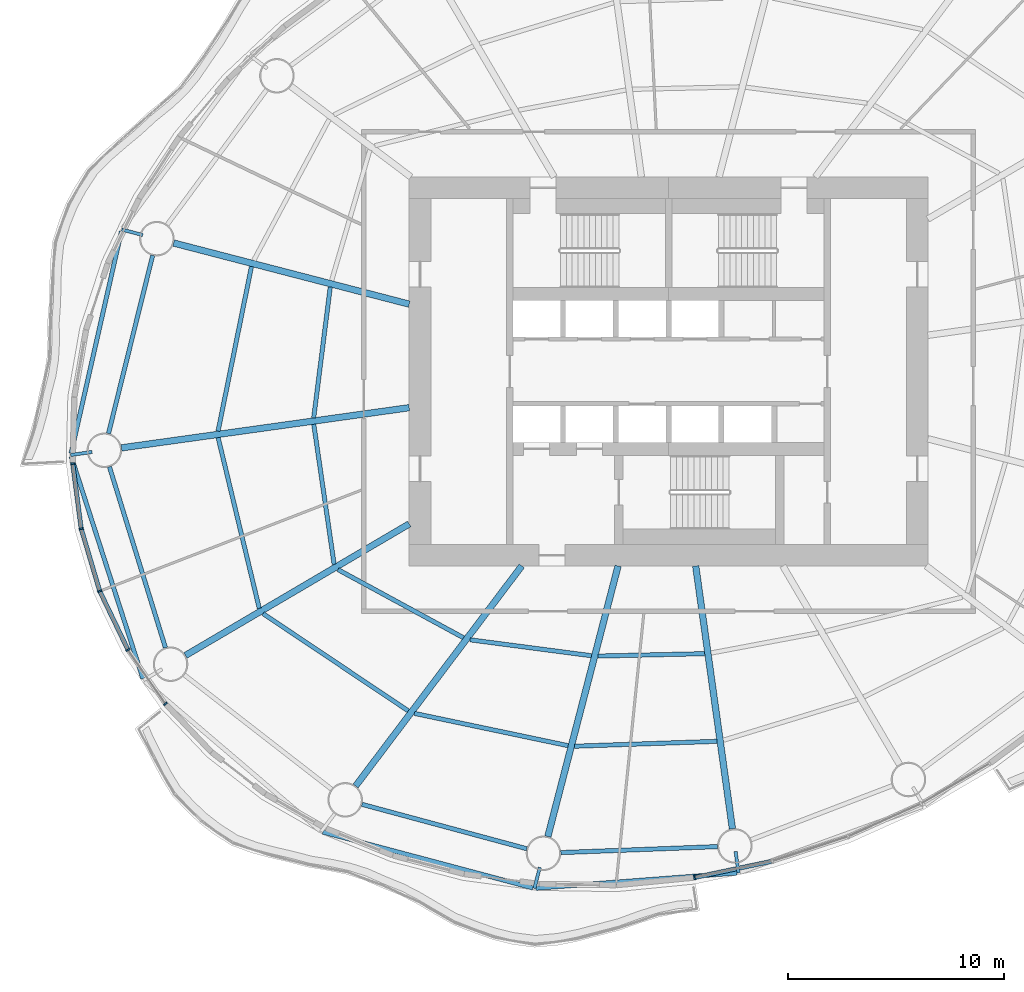
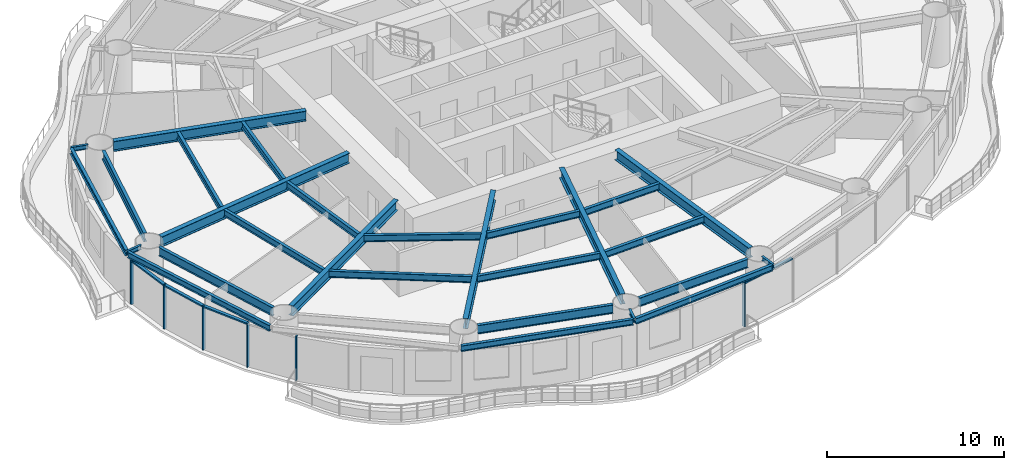
# One storey, part 2 of 14: 28 beams, 10 members, 5 elements without a shape of their own.
"""IFC4 building model written with IfcOpenShell, lengths in metres."""

from ifc_helpers import new_model, si_unit, direction, frame, origin, origin_2d, place, context, subcontext, project, spatial, rectangle, i_section, extrude, material, material_profile, profile_set, type_object, element, aggregate, save


model = new_model("IFC4")

# Units and contexts
model_context = context("Model", 3, precision=1e-05, world=origin(), true_north=direction((0.0, 1.0)))
body_context = subcontext(model_context, "Body", "Model", "MODEL_VIEW")
ifc_project = project(units=[si_unit("LENGTHUNIT", "METRE"), si_unit("AREAUNIT", "SQUARE_METRE"), si_unit("VOLUMEUNIT", "CUBIC_METRE"), si_unit("PLANEANGLEUNIT", "RADIAN"), si_unit("MASSUNIT", "GRAM", prefix="KILO")], contexts=[model_context])

# Site, building, storey
site_placement = place(None, origin())
site = spatial("IfcSite", under=ifc_project, at=site_placement, CompositionType="ELEMENT")
building_placement = place(site_placement, origin())
building = spatial("IfcBuilding", under=site, at=building_placement, Name="Vermilion Reach Broadcast Tower", CompositionType="ELEMENT")
storey_placement = place(building_placement, frame((0.0, 0.0, 117.39990234375)))
storey = spatial("IfcBuildingStorey", under=building, at=storey_placement, Name="L27", CompositionType="ELEMENT", Elevation=117.39990234375)

# Beams
ifc_material_1 = material(Name="Steel S355J2", Category="steel")
ifc_material_profile_1 = material_profile(ifc_material_1, i_section(OverallWidth=0.199951171875, OverallDepth=0.39990234375, WebThickness=0.008056640625, FlangeThickness=0.012939453125, at=origin_2d()), Name="S355J2 HN 400x200x8x13")
ifc_profile_set_1 = profile_set([ifc_material_profile_1], Name="Steel S355J2")
beam_type_1 = type_object("IfcBeamType", Name="EB2 HN 400x200x8x13", PredefinedType="BEAM", material=ifc_profile_set_1)
beam_1_placement = place(storey_placement, frame((-31.315673828125, 6.4931640625, 3.25), z_axis=(-0.221220599135, -0.975223793044, 0.0), x_axis=(0.975223793044, -0.221220599135, 0.0)))
element("IfcBeam", 1, at=beam_1_placement, inside=storey, type_object=beam_type_1, Name="Edge beam EB2-07", PredefinedType="BEAM", context=body_context, shape_type="SweptSolid", body=[
    extrude(i_section(OverallWidth=0.199951171875, OverallDepth=0.39990234375, WebThickness=0.008056640625, FlangeThickness=0.012939453125, at=origin_2d()), origin(), (0.0, 0.0, 1.0), 10.53955078125),
])
beam_2_placement = place(storey_placement, frame((-33.6416015625, -3.935791015625, 3.25), z_axis=(0.30738985375, -0.951583668319, 0.0), x_axis=(0.951583668319, 0.30738985375, 0.0)))
element("IfcBeam", 2, at=beam_2_placement, inside=storey, type_object=beam_type_1, Name="Edge beam EB2-08", PredefinedType="BEAM", context=body_context, shape_type="SweptSolid", body=[
    extrude(i_section(OverallWidth=0.199951171875, OverallDepth=0.39990234375, WebThickness=0.008056640625, FlangeThickness=0.012939453125, at=origin_2d()), origin(), (0.0, 0.0, 1.0), 10.79833984375),
])
beam_3_placement = place(storey_placement, frame((-21.99609375, -21.3134765625, 3.25), z_axis=(0.966375456993, -0.257135132026, 0.0), x_axis=(0.257135132026, 0.966375456993, 0.0)))
element("IfcBeam", 3, at=beam_3_placement, inside=storey, type_object=beam_type_1, Name="Edge beam EB2-10", PredefinedType="BEAM", context=body_context, shape_type="SweptSolid", body=[
    extrude(i_section(OverallWidth=0.199951171875, OverallDepth=0.39990234375, WebThickness=0.008056640625, FlangeThickness=0.012939453125, at=origin_2d()), origin(), (0.0, 0.0, 1.0), 10.053955078125),
])
beam_4_placement = place(storey_placement, frame((-12.12890625, -23.912109375, 3.25), z_axis=(0.997136795934, 0.075618848141, 0.0), x_axis=(-0.075618848141, 0.997136795934, 0.0)))
element("IfcBeam", 4, at=beam_4_placement, inside=storey, type_object=beam_type_1, Name="Edge beam EB2-11", PredefinedType="BEAM", context=body_context, shape_type="SweptSolid", body=[
    extrude(i_section(OverallWidth=0.199951171875, OverallDepth=0.39990234375, WebThickness=0.008056640625, FlangeThickness=0.012939453125, at=origin_2d()), origin(), (0.0, 0.0, 1.0), 9.32080078125),
])
ifc_material_2 = material(Name="Steel S355J2", Category="steel")
ifc_material_profile_2 = material_profile(ifc_material_2, i_section(OverallWidth=0.300048828125, OverallDepth=0.699951171875, WebThickness=0.012939453125, FlangeThickness=0.02392578125, at=origin_2d()), Name="S355J2 HN 700x300x13x24")
ifc_profile_set_2 = profile_set([ifc_material_profile_2], Name="Steel S355J2")
beam_type_2 = type_object("IfcBeamType", Name="G2 HN 700x300x13x24", PredefinedType="BEAM", material=ifc_profile_set_2)
beam_5_placement = place(storey_placement, frame((-18.0, 3.114501953125, 3.10009765625), z_axis=(-0.967926079816, 0.2512351568, 0.0), x_axis=(-0.2512351568, -0.967926079816, 0.0)))
element("IfcBeam", 5, at=beam_5_placement, inside=storey, type_object=beam_type_2, Name="Girder G2-07", PredefinedType="BEAM", context=body_context, shape_type="SweptSolid", body=[
    extrude(i_section(OverallWidth=0.300048828125, OverallDepth=0.699951171875, WebThickness=0.012939453125, FlangeThickness=0.02392578125, at=origin_2d()), origin(), (0.0, 0.0, 1.0), 11.265625),
])
beam_6_placement = place(storey_placement, frame((-18.0, -1.67578125, 3.10009765625), z_axis=(-0.990389457618, -0.138306623986, 0.0), x_axis=(0.138306623986, -0.990389457618, 0.0)))
element("IfcBeam", 6, at=beam_6_placement, inside=storey, type_object=beam_type_2, Name="Girder G2-08", PredefinedType="BEAM", context=body_context, shape_type="SweptSolid", body=[
    extrude(i_section(OverallWidth=0.300048828125, OverallDepth=0.699951171875, WebThickness=0.012939453125, FlangeThickness=0.02392578125, at=origin_2d()), origin(), (0.0, 0.0, 1.0), 13.445556640625),
])
beam_7_placement = place(storey_placement, frame((-18.0, -7.054443359375, 3.10009765625), z_axis=(-0.862071616631, -0.506786471603, 0.0), x_axis=(0.506786471603, -0.862071616631, 0.0)))
element("IfcBeam", 7, at=beam_7_placement, inside=storey, type_object=beam_type_2, Name="Girder G2-09", PredefinedType="BEAM", context=body_context, shape_type="SweptSolid", body=[
    extrude(i_section(OverallWidth=0.300048828125, OverallDepth=0.699951171875, WebThickness=0.012939453125, FlangeThickness=0.02392578125, at=origin_2d()), origin(), (0.0, 0.0, 1.0), 12.01025390625),
])
beam_8_placement = place(storey_placement, frame((-12.794189453125, -9.0, 3.10009765625), z_axis=(-0.602519842365, -0.798103902733, 0.0), x_axis=(0.798103902733, -0.602519842365, 0.0)))
element("IfcBeam", 8, at=beam_8_placement, inside=storey, type_object=beam_type_2, Name="Girder G2-10", PredefinedType="BEAM", context=body_context, shape_type="SweptSolid", body=[
    extrude(i_section(OverallWidth=0.300048828125, OverallDepth=0.699951171875, WebThickness=0.012939453125, FlangeThickness=0.02392578125, at=origin_2d()), origin(), (0.0, 0.0, 1.0), 12.758544921875),
])
beam_9_placement = place(storey_placement, frame((-8.3359375, -9.0, 3.10009765625), z_axis=(-0.25121695316, -0.967930804575, 0.0), x_axis=(0.967930804575, -0.25121695316, 0.0)))
element("IfcBeam", 9, at=beam_9_placement, inside=storey, type_object=beam_type_2, Name="Girder G2-11", PredefinedType="BEAM", context=body_context, shape_type="SweptSolid", body=[
    extrude(i_section(OverallWidth=0.300048828125, OverallDepth=0.699951171875, WebThickness=0.012939453125, FlangeThickness=0.02392578125, at=origin_2d()), origin(), (0.0, 0.0, 1.0), 12.93505859375),
])
beam_10_placement = place(storey_placement, frame((-4.7431640625, -9.0, 3.10009765625), z_axis=(0.138317561234, -0.990387930184, 0.0), x_axis=(0.990387930184, 0.138317561234, 0.0)))
element("IfcBeam", 10, at=beam_10_placement, inside=storey, type_object=beam_type_2, Name="Girder G2-12", PredefinedType="BEAM", context=body_context, shape_type="SweptSolid", body=[
    extrude(i_section(OverallWidth=0.300048828125, OverallDepth=0.699951171875, WebThickness=0.012939453125, FlangeThickness=0.02392578125, at=origin_2d()), origin(), (0.0, 0.0, 1.0), 12.281494140625),
])
ifc_material_3 = material(Name="Steel S355J2", Category="steel")
ifc_material_profile_3 = material_profile(ifc_material_3, i_section(OverallWidth=0.14990234375, OverallDepth=0.300048828125, WebThickness=0.006591796875, FlangeThickness=0.009033203125, at=origin_2d()), Name="S355J2 HN 300x150x6.5x9")
ifc_profile_set_3 = profile_set([ifc_material_profile_3], Name="Steel S355J2")
beam_type_3 = type_object("IfcBeamType", Name="GS2 HN 300x150x6.5x9", PredefinedType="BEAM", material=ifc_profile_set_3)
beam_11_placement = place(storey_placement, frame((-30.3310546875, 6.315185546875, 3.300048828125), z_axis=(-0.967935368459, 0.251199368006, 0.0), x_axis=(-0.251199368006, -0.967935368459, 0.0)))
element("IfcBeam", 11, at=beam_11_placement, inside=storey, type_object=beam_type_3, Name="Cantilever stub GS2-07", PredefinedType="BEAM", context=body_context, shape_type="SweptSolid", body=[
    extrude(i_section(OverallWidth=0.14990234375, OverallDepth=0.300048828125, WebThickness=0.006591796875, FlangeThickness=0.009033203125, at=origin_2d()), origin(), (0.0, 0.0, 1.0), 1.0),
])
beam_12_placement = place(storey_placement, frame((-32.674560546875, -3.72509765625, 3.300048828125), z_axis=(-0.990369889118, -0.138446678286, 0.0), x_axis=(0.138446678286, -0.990369889118, 0.0)))
element("IfcBeam", 12, at=beam_12_placement, inside=storey, type_object=beam_type_3, Name="Cantilever stub GS2-08", PredefinedType="BEAM", context=body_context, shape_type="SweptSolid", body=[
    extrude(i_section(OverallWidth=0.14990234375, OverallDepth=0.300048828125, WebThickness=0.006591796875, FlangeThickness=0.009033203125, at=origin_2d()), origin(), (0.0, 0.0, 1.0), 0.999755859375),
])
beam_13_placement = place(storey_placement, frame((-11.95654296875, -22.949951171875, 3.300048828125), z_axis=(-0.251428062615, -0.967875988611, 0.0), x_axis=(0.967875988611, -0.251428062615, 0.0)))
element("IfcBeam", 13, at=beam_13_placement, inside=storey, type_object=beam_type_3, Name="Cantilever stub GS2-11", PredefinedType="BEAM", context=body_context, shape_type="SweptSolid", body=[
    extrude(i_section(OverallWidth=0.14990234375, OverallDepth=0.300048828125, WebThickness=0.006591796875, FlangeThickness=0.009033203125, at=origin_2d()), origin(), (0.0, 0.0, 1.0), 1.000244140625),
])
beam_14_placement = place(storey_placement, frame((-2.898193359375, -22.211181640625, 3.300048828125), z_axis=(0.138413206764, -0.990374567622, 0.0), x_axis=(0.990374567622, 0.138413206764, 0.0)))
element("IfcBeam", 14, at=beam_14_placement, inside=storey, type_object=beam_type_3, Name="Cantilever stub GS2-12", PredefinedType="BEAM", context=body_context, shape_type="SweptSolid", body=[
    extrude(i_section(OverallWidth=0.14990234375, OverallDepth=0.300048828125, WebThickness=0.006591796875, FlangeThickness=0.009033203125, at=origin_2d()), origin(), (0.0, 0.0, 1.0), 1.0),
])
ifc_material_4 = material(Name="Steel S355J2", Category="steel")
ifc_material_profile_4 = material_profile(ifc_material_4, i_section(OverallWidth=0.199951171875, OverallDepth=0.60009765625, WebThickness=0.010986328125, FlangeThickness=0.01708984375, at=origin_2d()), Name="S355J2 HN 600x200x11x17")
ifc_profile_set_4 = profile_set([ifc_material_profile_4], Name="Steel S355J2")
beam_type_4 = type_object("IfcBeamType", Name="RB2 HN 600x200x11x17", PredefinedType="BEAM", material=ifc_profile_set_4)
beam_15_placement = place(storey_placement, frame((-29.871337890625, 5.369384765625, 3.150146484375), z_axis=(-0.240863809798, -0.970558924089, 0.0), x_axis=(0.970558924089, -0.240863809798, 0.0)))
element("IfcBeam", 15, at=beam_15_placement, inside=storey, type_object=beam_type_4, Name="Ring beam RB2-07", PredefinedType="BEAM", context=body_context, shape_type="SweptSolid", body=[
    extrude(i_section(OverallWidth=0.199951171875, OverallDepth=0.60009765625, WebThickness=0.010986328125, FlangeThickness=0.01708984375, at=origin_2d()), origin(), (0.0, 0.0, 1.0), 8.489013671875),
])
beam_16_placement = place(storey_placement, frame((-31.872314453125, -4.410400390625, 3.150146484375), z_axis=(0.295788439635, -0.95525347368, 0.0), x_axis=(0.95525347368, 0.295788439635, 0.0)))
element("IfcBeam", 16, at=beam_16_placement, inside=storey, type_object=beam_type_4, Name="Ring beam RB2-08", PredefinedType="BEAM", context=body_context, shape_type="SweptSolid", body=[
    extrude(i_section(OverallWidth=0.199951171875, OverallDepth=0.60009765625, WebThickness=0.010986328125, FlangeThickness=0.01708984375, at=origin_2d()), origin(), (0.0, 0.0, 1.0), 8.763916015625),
])
beam_17_placement = place(storey_placement, frame((-20.19091796875, -20.029296875, 3.150146484375), z_axis=(0.965541463834, -0.260249268234, 0.0), x_axis=(0.260249268234, 0.965541463834, 0.0)))
element("IfcBeam", 17, at=beam_17_placement, inside=storey, type_object=beam_type_4, Name="Ring beam RB2-10", PredefinedType="BEAM", context=body_context, shape_type="SweptSolid", body=[
    extrude(i_section(OverallWidth=0.199951171875, OverallDepth=0.60009765625, WebThickness=0.010986328125, FlangeThickness=0.01708984375, at=origin_2d()), origin(), (0.0, 0.0, 1.0), 7.904541015625),
])
beam_18_placement = place(storey_placement, frame((-10.987060546875, -22.263916015625, 3.150146484375), z_axis=(0.999268558327, 0.038240663418, 0.0), x_axis=(-0.038240663418, 0.999268558327, 0.0)))
element("IfcBeam", 18, at=beam_18_placement, inside=storey, type_object=beam_type_4, Name="Ring beam RB2-11", PredefinedType="BEAM", context=body_context, shape_type="SweptSolid", body=[
    extrude(i_section(OverallWidth=0.199951171875, OverallDepth=0.60009765625, WebThickness=0.010986328125, FlangeThickness=0.01708984375, at=origin_2d()), origin(), (0.0, 0.0, 1.0), 7.259033203125),
])
ifc_material_5 = material(Name="Steel S355J2", Category="steel")
ifc_material_profile_5 = material_profile(ifc_material_5, i_section(OverallWidth=0.199951171875, OverallDepth=0.449951171875, WebThickness=0.009033203125, FlangeThickness=0.013916015625, at=origin_2d()), Name="S355J2 HN 450x200x9x14")
ifc_profile_set_5 = profile_set([ifc_material_profile_5], Name="Steel S355J2")
beam_type_5 = type_object("IfcBeamType", Name="SB2 HN 450x200x9x14", PredefinedType="BEAM", material=ifc_profile_set_5)
beam_19_placement = place(storey_placement, frame((-21.65380859375, 3.907958984375, 3.22509765625), z_axis=(-0.125557241128, -0.992086376885, 0.0), x_axis=(0.992086376885, -0.125557241128, 0.0)))
element("IfcBeam", 19, at=beam_19_placement, inside=storey, type_object=beam_type_5, Name="Secondary beam SB2-07-1", PredefinedType="BEAM", context=body_context, shape_type="SweptSolid", body=[
    extrude(i_section(OverallWidth=0.199951171875, OverallDepth=0.449951171875, WebThickness=0.009033203125, FlangeThickness=0.013916015625, at=origin_2d()), origin(), (0.0, 0.0, 1.0), 6.097900390625),
])
beam_20_placement = place(storey_placement, frame((-25.29931640625, 4.854248046875, 3.22509765625), z_axis=(-0.19906416804, -0.979986457561, 0.0), x_axis=(0.979986457561, -0.19906416804, 0.0)))
element("IfcBeam", 20, at=beam_20_placement, inside=storey, type_object=beam_type_5, Name="Secondary beam SB2-07-2", PredefinedType="BEAM", context=body_context, shape_type="SweptSolid", body=[
    extrude(i_section(OverallWidth=0.199951171875, OverallDepth=0.449951171875, WebThickness=0.009033203125, FlangeThickness=0.013916015625, at=origin_2d()), origin(), (0.0, 0.0, 1.0), 7.76953125),
])
beam_21_placement = place(storey_placement, frame((-22.417236328125, -2.444091796875, 3.22509765625), z_axis=(0.143973706518, -0.989581513485, 0.0), x_axis=(0.989581513485, 0.143973706518, 0.0)))
element("IfcBeam", 21, at=beam_21_placement, inside=storey, type_object=beam_type_5, Name="Secondary beam SB2-08-1", PredefinedType="BEAM", context=body_context, shape_type="SweptSolid", body=[
    extrude(i_section(OverallWidth=0.199951171875, OverallDepth=0.449951171875, WebThickness=0.009033203125, FlangeThickness=0.013916015625, at=origin_2d()), origin(), (0.0, 0.0, 1.0), 6.547119140625),
])
beam_22_placement = place(storey_placement, frame((-26.84228515625, -3.06201171875, 3.22509765625), z_axis=(0.234260568382, -0.972173845617, 0.0), x_axis=(0.972173845617, 0.234260568382, 0.0)))
element("IfcBeam", 22, at=beam_22_placement, inside=storey, type_object=beam_type_5, Name="Secondary beam SB2-08-2", PredefinedType="BEAM", context=body_context, shape_type="SweptSolid", body=[
    extrude(i_section(OverallWidth=0.199951171875, OverallDepth=0.449951171875, WebThickness=0.009033203125, FlangeThickness=0.013916015625, at=origin_2d()), origin(), (0.0, 0.0, 1.0), 8.123779296875),
])
beam_23_placement = place(storey_placement, frame((-21.29736328125, -9.1669921875, 3.22509765625), z_axis=(0.878713106774, -0.477350265512, 0.0), x_axis=(0.477350265512, 0.878713106774, 0.0)))
element("IfcBeam", 23, at=beam_23_placement, inside=storey, type_object=beam_type_5, Name="Secondary beam SB2-09-1", PredefinedType="BEAM", context=body_context, shape_type="SweptSolid", body=[
    extrude(i_section(OverallWidth=0.199951171875, OverallDepth=0.449951171875, WebThickness=0.009033203125, FlangeThickness=0.013916015625, at=origin_2d()), origin(), (0.0, 0.0, 1.0), 6.60888671875),
])
beam_24_placement = place(storey_placement, frame((-24.76416015625, -11.204833984375, 3.22509765625), z_axis=(0.830915400975, -0.556398774641, 0.0), x_axis=(0.556398774641, 0.830915400975, 0.0)))
element("IfcBeam", 24, at=beam_24_placement, inside=storey, type_object=beam_type_5, Name="Secondary beam SB2-09-2", PredefinedType="BEAM", context=body_context, shape_type="SweptSolid", body=[
    extrude(i_section(OverallWidth=0.199951171875, OverallDepth=0.449951171875, WebThickness=0.009033203125, FlangeThickness=0.013916015625, at=origin_2d()), origin(), (0.0, 0.0, 1.0), 8.087646484375),
])
beam_25_placement = place(storey_placement, frame((-15.185546875, -12.416748046875, 3.22509765625), z_axis=(0.991498686864, -0.130116693573, 0.0), x_axis=(0.130116693573, 0.991498686864, 0.0)))
element("IfcBeam", 25, at=beam_25_placement, inside=storey, type_object=beam_type_5, Name="Secondary beam SB2-10-1", PredefinedType="BEAM", context=body_context, shape_type="SweptSolid", body=[
    extrude(i_section(OverallWidth=0.199951171875, OverallDepth=0.449951171875, WebThickness=0.009033203125, FlangeThickness=0.013916015625, at=origin_2d()), origin(), (0.0, 0.0, 1.0), 5.66455078125),
])
beam_26_placement = place(storey_placement, frame((-17.7568359375, -15.822509765625, 3.22509765625), z_axis=(0.978631382549, -0.205622511148, 0.0), x_axis=(0.205622511148, 0.978631382549, 0.0)))
element("IfcBeam", 26, at=beam_26_placement, inside=storey, type_object=beam_type_5, Name="Secondary beam SB2-10-2", PredefinedType="BEAM", context=body_context, shape_type="SweptSolid", body=[
    extrude(i_section(OverallWidth=0.199951171875, OverallDepth=0.449951171875, WebThickness=0.009033203125, FlangeThickness=0.013916015625, at=origin_2d()), origin(), (0.0, 0.0, 1.0), 7.262939453125),
])
beam_27_placement = place(storey_placement, frame((-9.26318359375, -13.169921875, 3.22509765625), z_axis=(0.999742320425, 0.022700060602, 0.0), x_axis=(-0.022700060602, 0.999742320425, 0.0)))
element("IfcBeam", 27, at=beam_27_placement, inside=storey, type_object=beam_type_5, Name="Secondary beam SB2-11-1", PredefinedType="BEAM", context=body_context, shape_type="SweptSolid", body=[
    extrude(i_section(OverallWidth=0.199951171875, OverallDepth=0.449951171875, WebThickness=0.009033203125, FlangeThickness=0.013916015625, at=origin_2d()), origin(), (0.0, 0.0, 1.0), 4.9365234375),
])
beam_28_placement = place(storey_placement, frame((-10.345947265625, -17.34130859375, 3.22509765625), z_axis=(0.999404722387, 0.03449928797, 0.0), x_axis=(-0.03449928797, 0.999404722387, 0.0)))
element("IfcBeam", 28, at=beam_28_placement, inside=storey, type_object=beam_type_5, Name="Secondary beam SB2-11-2", PredefinedType="BEAM", context=body_context, shape_type="SweptSolid", body=[
    extrude(i_section(OverallWidth=0.199951171875, OverallDepth=0.449951171875, WebThickness=0.009033203125, FlangeThickness=0.013916015625, at=origin_2d()), origin(), (0.0, 0.0, 1.0), 6.58837890625),
])

# Curtain wall, member
ifc_material_6 = material(Name="Low-e laminated clear glass in aluminium frame", Category="aluminium")
curtain_wall_type = type_object("IfcCurtainWallType", Name="Slot curtain wall", PredefinedType="NOTDEFINED", material=ifc_material_6)
placement = place(storey_placement, origin())
curtain_wall_1 = element("IfcCurtainWall", 29, at=placement, inside=storey, type_object=curtain_wall_type, Name="Slot curtain wall L27 22", PredefinedType="NOTDEFINED")
ifc_material_7 = material(Name="Anodised aluminium", Category="aluminium")
ifc_material_profile_6 = material_profile(ifc_material_7, rectangle(XDim=0.199951171875, YDim=0.080078125, at=origin_2d()), Name="Slot mullion 80 x 200")
ifc_profile_set_6 = profile_set([ifc_material_profile_6], Name="Anodised aluminium")
member_type_1 = type_object("IfcMemberType", Name="Slot mullion 80 x 200", PredefinedType="MULLION", material=ifc_profile_set_6)
member_1_placement = place(storey_placement, frame((-33.572998046875, -4.267333984375, 0.0), z_axis=(0.0, 0.0, 1.0), x_axis=(0.998586674209, 0.053147474933, 0.0)))
member_1 = element("IfcMember", 30, at=member_1_placement, type_object=member_type_1, Name="Slot mullion L27 22", PredefinedType="MULLION", context=body_context, shape_type="SweptSolid", body=[
    extrude(rectangle(XDim=0.199951171875, YDim=0.080078125, at=origin_2d()), origin(), (0.0, 0.0, 1.0), 3.050048828125),
])

curtain_wall_2 = element("IfcCurtainWall", 31, at=placement, inside=storey, type_object=curtain_wall_type, Name="Slot curtain wall L27 23", PredefinedType="NOTDEFINED")
member_2_placement = place(storey_placement, frame((-33.177734375, -7.279296875, 0.0), z_axis=(0.0, 0.0, 1.0), x_axis=(0.978107214724, 0.208101601397, 0.0)))
member_2 = element("IfcMember", 32, at=member_2_placement, type_object=member_type_1, Name="Slot mullion L27 23", PredefinedType="MULLION", context=body_context, shape_type="SweptSolid", body=[
    extrude(rectangle(XDim=0.199951171875, YDim=0.080078125, at=origin_2d()), origin(), (0.0, 0.0, 1.0), 3.050048828125),
])

curtain_wall_3 = element("IfcCurtainWall", 33, at=placement, inside=storey, type_object=curtain_wall_type, Name="Slot curtain wall L27 24", PredefinedType="NOTDEFINED")
member_3_placement = place(storey_placement, frame((-32.31982421875, -10.16650390625, 0.0), z_axis=(0.0, 0.0, 1.0), x_axis=(0.932827792053, 0.360322508835, 0.0)))
member_3 = element("IfcMember", 34, at=member_3_placement, type_object=member_type_1, Name="Slot mullion L27 24", PredefinedType="MULLION", context=body_context, shape_type="SweptSolid", body=[
    extrude(rectangle(XDim=0.199951171875, YDim=0.080078125, at=origin_2d()), origin(), (0.0, 0.0, 1.0), 3.050048828125),
])

# Curtain wall, members
curtain_wall_4 = element("IfcCurtainWall", 35, at=placement, inside=storey, type_object=curtain_wall_type, Name="Slot curtain wall L27 25", PredefinedType="NOTDEFINED")
member_4_placement = place(storey_placement, frame((-31.013916015625, -12.880615234375, 0.0), z_axis=(0.0, 0.0, 1.0), x_axis=(0.864021172074, 0.503455473909, 0.0)))
member_4 = element("IfcMember", 36, at=member_4_placement, type_object=member_type_1, Name="Slot mullion L27 25", PredefinedType="MULLION", context=body_context, shape_type="SweptSolid", body=[
    extrude(rectangle(XDim=0.199951171875, YDim=0.080078125, at=origin_2d()), origin(), (0.0, 0.0, 1.0), 3.050048828125),
])
member_5_placement = place(storey_placement, frame((-29.28173828125, -15.376220703125, 0.0), z_axis=(0.0, 0.0, 1.0), x_axis=(0.77501696646, 0.631940425751, 0.0)))
member_5 = element("IfcMember", 37, at=member_5_placement, type_object=member_type_1, Name="Slot mullion L27 26", PredefinedType="MULLION", context=body_context, shape_type="SweptSolid", body=[
    extrude(rectangle(XDim=0.199951171875, YDim=0.080078125, at=origin_2d()), origin(), (0.0, 0.0, 1.0), 3.050048828125),
])
aggregate(curtain_wall_4, [member_4, member_5])

# Curtain wall, member
curtain_wall_5 = element("IfcCurtainWall", 38, at=placement, inside=storey, type_object=curtain_wall_type, Name="Slot curtain wall L27 34", PredefinedType="NOTDEFINED")
member_6_placement = place(storey_placement, frame((-4.79736328125, -23.4169921875, 0.0), z_axis=(0.0, 0.0, 1.0), x_axis=(-0.151588690045, 0.988443660028, 0.0)))
member_6 = element("IfcMember", 39, at=member_6_placement, type_object=member_type_1, Name="Slot mullion L27 34", PredefinedType="MULLION", context=body_context, shape_type="SweptSolid", body=[
    extrude(rectangle(XDim=0.199951171875, YDim=0.080078125, at=origin_2d()), origin(), (0.0, 0.0, 1.0), 3.050048828125),
])

# Member
ifc_material_8 = material(Name="Anodised aluminium", Category="aluminium")
ifc_material_profile_7 = material_profile(ifc_material_8, rectangle(XDim=0.199951171875, YDim=0.10009765625, at=origin_2d()), Name="Slot transom 200 x 100")
ifc_profile_set_7 = profile_set([ifc_material_profile_7], Name="Anodised aluminium")
member_type_2 = type_object("IfcMemberType", Name="Slot transom 200 x 100", PredefinedType="USERDEFINED", material=ifc_profile_set_7)
member_7_placement = place(storey_placement, frame((-33.567626953125, -4.306884765625, 3.0), z_axis=(0.130076602098, -0.991503947338, 0.0), x_axis=(0.991503947338, 0.130076602098, 0.0)))
member_7 = element("IfcMember", 40, at=member_7_placement, type_object=member_type_2, Name="Slot transom L27 22.1", ObjectType="TRANSOM", PredefinedType="USERDEFINED", context=body_context, shape_type="SweptSolid", body=[
    extrude(rectangle(XDim=0.199951171875, YDim=0.10009765625, at=origin_2d()), origin(), (0.0, 0.0, 1.0), 2.9580078125),
])

aggregate(curtain_wall_1, [member_1, member_7])

member_8_placement = place(storey_placement, frame((-33.166259765625, -7.317626953125, 3.0), z_axis=(0.284780029098, -0.958592893269, 0.0), x_axis=(0.958592893269, 0.284780029098, 0.0)))
member_8 = element("IfcMember", 41, at=member_8_placement, type_object=member_type_2, Name="Slot transom L27 23.1", ObjectType="TRANSOM", PredefinedType="USERDEFINED", context=body_context, shape_type="SweptSolid", body=[
    extrude(rectangle(XDim=0.199951171875, YDim=0.10009765625, at=origin_2d()), origin(), (0.0, 0.0, 1.0), 2.931884765625),
])

aggregate(curtain_wall_2, [member_2, member_8])

member_9_placement = place(storey_placement, frame((-32.302490234375, -10.20263671875, 3.0), z_axis=(0.433572755553, -0.901118563587, 0.0), x_axis=(0.901118563587, 0.433572755553, 0.0)))
member_9 = element("IfcMember", 42, at=member_9_placement, type_object=member_type_2, Name="Slot transom L27 24.1", ObjectType="TRANSOM", PredefinedType="USERDEFINED", context=body_context, shape_type="SweptSolid", body=[
    extrude(rectangle(XDim=0.199951171875, YDim=0.10009765625, at=origin_2d()), origin(), (0.0, 0.0, 1.0), 2.93212890625),
])

aggregate(curtain_wall_3, [member_3, member_9])

member_10_placement = place(storey_placement, frame((-4.75830078125, -23.40869140625, 3.0), z_axis=(0.978643384514, 0.205565381198, 0.0), x_axis=(-0.205565381198, 0.978643384514, 0.0)))
member_10 = element("IfcMember", 43, at=member_10_placement, type_object=member_type_2, Name="Slot transom L27 34.1", ObjectType="TRANSOM", PredefinedType="USERDEFINED", context=body_context, shape_type="SweptSolid", body=[
    extrude(rectangle(XDim=0.199951171875, YDim=0.10009765625, at=origin_2d()), origin(), (0.0, 0.0, 1.0), 3.59375),
])

aggregate(curtain_wall_5, [member_6, member_10])

save(model, "model.ifc")
